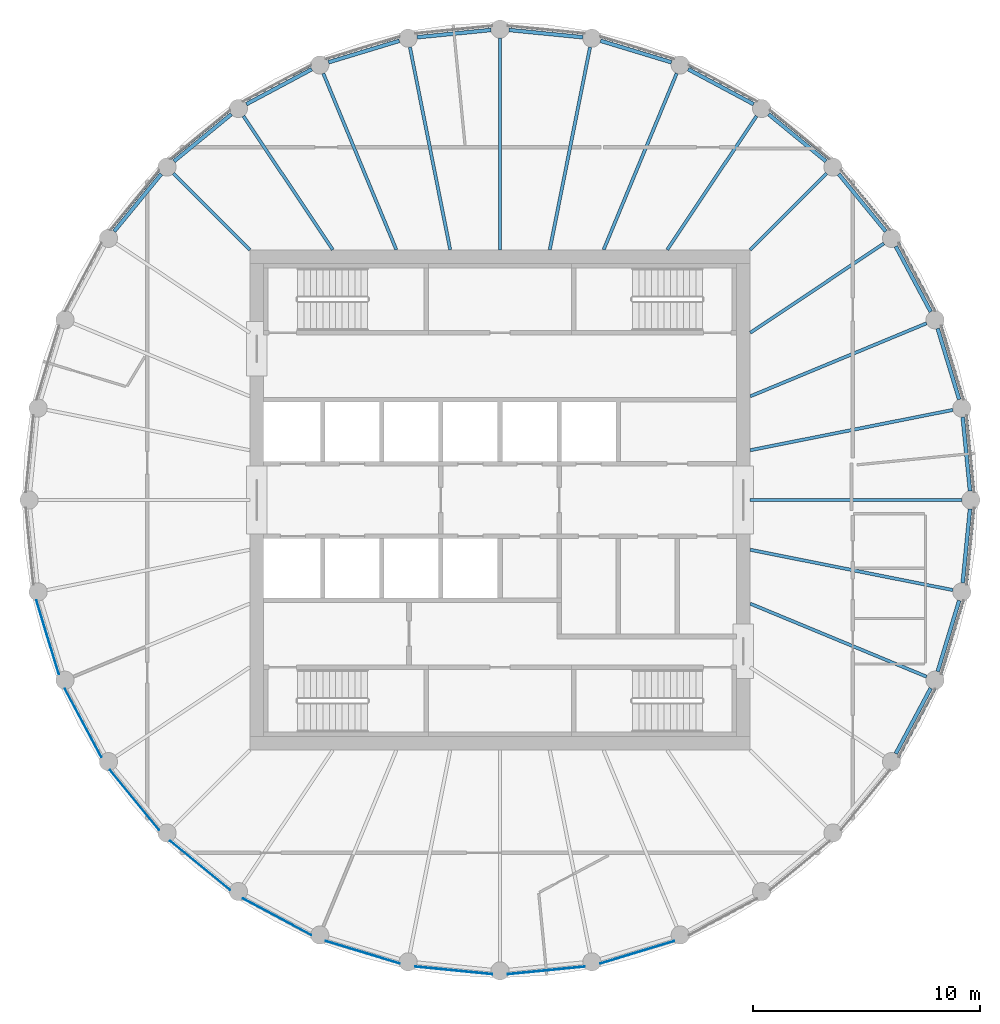
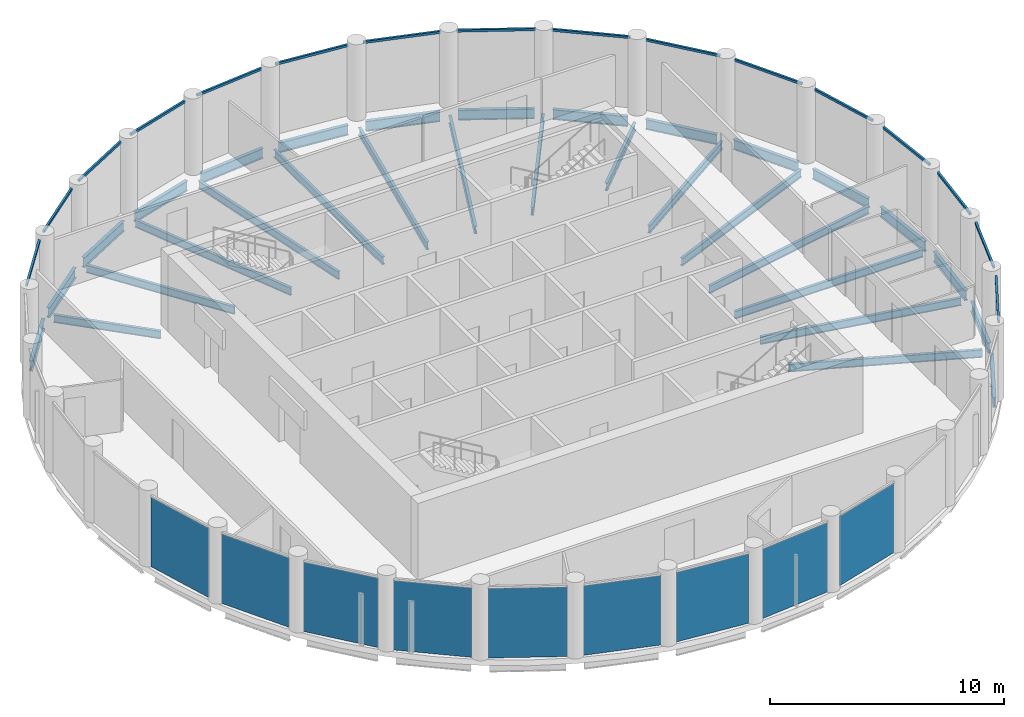
# One storey, part 2 of 7: 31 beams, 16 members, 9 plates, 25 elements without a shape of their own.
"""IFC4 building model written with IfcOpenShell, lengths in metres."""

from ifc_helpers import new_model, si_unit, direction, frame, origin, origin_2d, place, context, subcontext, project, spatial, rectangle, i_section, extrude, material, layer, layer_set, material_profile, profile_set, type_object, element, aggregate, save


model = new_model("IFC4")

# Units and contexts
model_context = context("Model", 3, precision=1e-05, world=origin(), true_north=direction((0.0, 1.0)))
body_context = subcontext(model_context, "Body", "Model", "MODEL_VIEW")
ifc_project = project(units=[si_unit("LENGTHUNIT", "METRE"), si_unit("AREAUNIT", "SQUARE_METRE"), si_unit("VOLUMEUNIT", "CUBIC_METRE"), si_unit("PLANEANGLEUNIT", "RADIAN"), si_unit("MASSUNIT", "GRAM", prefix="KILO")], contexts=[model_context])

# Site, building, storey
site_placement = place(None, origin())
site = spatial("IfcSite", under=ifc_project, at=site_placement, CompositionType="ELEMENT")
building_placement = place(site_placement, origin())
building = spatial("IfcBuilding", under=site, at=building_placement, Name="Corvane Civic Tower", CompositionType="ELEMENT")
storey_placement = place(building_placement, frame((0.0, 0.0, 360.5)))
storey = spatial("IfcBuildingStorey", under=building, at=storey_placement, Name="L86", CompositionType="ELEMENT", Elevation=360.5)

# Beams
ifc_material_1 = material(Name="Steel ASTM A992 Gr 50", Category="steel")
ifc_material_profile_1 = material_profile(ifc_material_1, i_section(OverallWidth=0.165771484375, OverallDepth=0.5283203125, WebThickness=0.009765625, FlangeThickness=0.013671875, at=origin_2d()), Name="W21X50")
ifc_profile_set_1 = profile_set([ifc_material_profile_1], Name="Steel ASTM A992 Gr 50")
beam_type_1 = type_object("IfcBeamType", Name="EDGE BEAM W21X50", PredefinedType="BEAM", material=ifc_profile_set_1)
beam_1_placement = place(storey_placement, frame((0.39794921875, 20.66064453125, -0.564208984375), z_axis=(0.995192503142, -0.097938152369, 0.0), x_axis=(0.097938152369, 0.995192503142, 0.0)))
element("IfcBeam", 1, at=beam_1_placement, inside=storey, type_object=beam_type_1, Name="BM-L86-E01", PredefinedType="BEAM", context=body_context, shape_type="SweptSolid", body=[
    extrude(i_section(OverallWidth=0.165771484375, OverallDepth=0.5283203125, WebThickness=0.009765625, FlangeThickness=0.013671875, at=origin_2d()), origin(), (0.0, 0.0, 1.0), 3.258056640625),
])
for number, where, z_axis, x_axis, name in (
    (2, (4.421142578125, 20.18603515625, -0.564208984375), (0.956955679349, -0.290234091317, 0.0), (0.290234091317, 0.956955679349, 0.0), "BM-L86-E02"),
    (3, (8.2744140625, 18.935791015625, -0.564208984375), (0.881894065907, -0.471447618, 0.0), (0.471447618, 0.881894065907, 0.0), "BM-L86-E03"),
    (4, (11.8095703125, 16.957763671875, -0.564208984375), (0.772984791903, -0.634424551454, 0.0), (0.634424551454, 0.772984791903, 0.0), "BM-L86-E04"),
    (5, (14.890869140625, 14.327880859375, -0.564208984375), (0.634424551454, -0.772984791903, 0.0), (0.772984791903, 0.634424551454, 0.0), "BM-L86-E05"),
    (6, (17.39990234375, 11.1474609375, -0.564208984375), (0.471447618, -0.881894065907, 0.0), (0.881894065907, 0.471447618, 0.0), "BM-L86-E06"),
    (7, (19.240478515625, 7.538818359375, -0.564208984375), (0.290234091317, -0.956955679349, 0.0), (0.956955679349, 0.290234091317, 0.0), "BM-L86-E07"),
):
    element("IfcBeam", number, at=place(storey_placement, frame(where, z_axis=z_axis, x_axis=x_axis)), inside=storey, type_object=beam_type_1, Name=name, PredefinedType="BEAM", context=body_context, shape_type="SweptSolid", body=[
        extrude(i_section(OverallWidth=0.165771484375, OverallDepth=0.5283203125, WebThickness=0.009765625, FlangeThickness=0.013671875, at=origin_2d()), origin(), (0.0, 0.0, 1.0), 3.2578125),
    ])
for number, where, z_axis, x_axis, name in (
    (8, (20.341552734375, 3.640380859375, -0.564208984375), (0.097938152369, -0.995192503142, 0.0), (0.995192503142, 0.097938152369, 0.0), "BM-L86-E08"),
    (9, (20.66064453125, -0.39794921875, -0.564208984375), (-0.097938152369, -0.995192503142, 0.0), (0.995192503142, -0.097938152369, 0.0), "BM-L86-E09"),
):
    element("IfcBeam", number, at=place(storey_placement, frame(where, z_axis=z_axis, x_axis=x_axis)), inside=storey, type_object=beam_type_1, Name=name, PredefinedType="BEAM", context=body_context, shape_type="SweptSolid", body=[
        extrude(i_section(OverallWidth=0.165771484375, OverallDepth=0.5283203125, WebThickness=0.009765625, FlangeThickness=0.013671875, at=origin_2d()), origin(), (0.0, 0.0, 1.0), 3.258056640625),
    ])
for number, where, z_axis, x_axis, name in (
    (10, (20.18603515625, -4.421142578125, -0.564208984375), (-0.290234091317, -0.956955679349, 0.0), (0.956955679349, -0.290234091317, 0.0), "BM-L86-E10"),
    (11, (18.935791015625, -8.2744140625, -0.564208984375), (-0.471447618, -0.881894065907, 0.0), (0.881894065907, -0.471447618, 0.0), "BM-L86-E11"),
    (12, (-16.957763671875, 11.8095703125, -0.564208984375), (0.634424551454, 0.772984791903, 0.0), (-0.772984791903, 0.634424551454, 0.0), "BM-L86-E28"),
    (13, (-14.327880859375, 14.890869140625, -0.564208984375), (0.772984791903, 0.634424551454, 0.0), (-0.634424551454, 0.772984791903, 0.0), "BM-L86-E29"),
    (14, (-11.1474609375, 17.39990234375, -0.564208984375), (0.881894065907, 0.471447618, 0.0), (-0.471447618, 0.881894065907, 0.0), "BM-L86-E30"),
    (15, (-7.538818359375, 19.240478515625, -0.564208984375), (0.956955679349, 0.290234091317, 0.0), (-0.290234091317, 0.956955679349, 0.0), "BM-L86-E31"),
):
    element("IfcBeam", number, at=place(storey_placement, frame(where, z_axis=z_axis, x_axis=x_axis)), inside=storey, type_object=beam_type_1, Name=name, PredefinedType="BEAM", context=body_context, shape_type="SweptSolid", body=[
        extrude(i_section(OverallWidth=0.165771484375, OverallDepth=0.5283203125, WebThickness=0.009765625, FlangeThickness=0.013671875, at=origin_2d()), origin(), (0.0, 0.0, 1.0), 3.2578125),
    ])
beam_2_placement = place(storey_placement, frame((-3.640380859375, 20.341552734375, -0.564208984375), z_axis=(0.995192503142, 0.097938152369, 0.0), x_axis=(-0.097938152369, 0.995192503142, 0.0)))
element("IfcBeam", 16, at=beam_2_placement, inside=storey, type_object=beam_type_1, Name="BM-L86-E32", PredefinedType="BEAM", context=body_context, shape_type="SweptSolid", body=[
    extrude(i_section(OverallWidth=0.165771484375, OverallDepth=0.5283203125, WebThickness=0.009765625, FlangeThickness=0.013671875, at=origin_2d()), origin(), (0.0, 0.0, 1.0), 3.258056640625),
])
ifc_material_2 = material(Name="Steel ASTM A992 Gr 50", Category="steel")
ifc_material_profile_2 = material_profile(ifc_material_2, i_section(OverallWidth=0.140380859375, OverallDepth=0.40380859375, WebThickness=0.007080078125, FlangeThickness=0.01123046875, at=origin_2d()), Name="W16X31")
ifc_profile_set_2 = profile_set([ifc_material_profile_2], Name="Steel ASTM A992 Gr 50")
beam_type_2 = type_object("IfcBeamType", Name="FLOOR GIRDER W16X31", PredefinedType="BEAM", material=ifc_profile_set_2)
beam_3_placement = place(storey_placement, frame((0.0, 11.0, -0.501953125), z_axis=(0.0, 1.0, 0.0), x_axis=(-1.0, 0.0, 0.0)))
element("IfcBeam", 17, at=beam_3_placement, inside=storey, type_object=beam_type_2, Name="BM-L86-G01", PredefinedType="BEAM", context=body_context, shape_type="SweptSolid", body=[
    extrude(i_section(OverallWidth=0.140380859375, OverallDepth=0.40380859375, WebThickness=0.007080078125, FlangeThickness=0.01123046875, at=origin_2d()), origin(), (0.0, 0.0, 1.0), 9.300048828125),
])
beam_4_placement = place(storey_placement, frame((2.18798828125, 11.0, -0.501953125), z_axis=(0.195108241061, 0.980781715913, 0.0), x_axis=(-0.980781715913, 0.195108241061, 0.0)))
element("IfcBeam", 18, at=beam_4_placement, inside=storey, type_object=beam_type_2, Name="BM-L86-G02", PredefinedType="BEAM", context=body_context, shape_type="SweptSolid", body=[
    extrude(i_section(OverallWidth=0.140380859375, OverallDepth=0.40380859375, WebThickness=0.007080078125, FlangeThickness=0.01123046875, at=origin_2d()), origin(), (0.0, 0.0, 1.0), 9.08447265625),
])
beam_5_placement = place(storey_placement, frame((4.556396484375, 11.0, -0.501953125), z_axis=(0.382691739894, 0.923876091377, 0.0), x_axis=(-0.923876091377, 0.382691739894, 0.0)))
element("IfcBeam", 19, at=beam_5_placement, inside=storey, type_object=beam_type_2, Name="BM-L86-G03", PredefinedType="BEAM", context=body_context, shape_type="SweptSolid", body=[
    extrude(i_section(OverallWidth=0.140380859375, OverallDepth=0.40380859375, WebThickness=0.007080078125, FlangeThickness=0.01123046875, at=origin_2d()), origin(), (0.0, 0.0, 1.0), 8.3935546875),
])
beam_6_placement = place(storey_placement, frame((7.349853515625, 11.0, -0.501953125), z_axis=(0.555576401385, 0.831465490699, 0.0), x_axis=(-0.831465490699, 0.555576401385, 0.0)))
element("IfcBeam", 20, at=beam_6_placement, inside=storey, type_object=beam_type_2, Name="BM-L86-G04", PredefinedType="BEAM", context=body_context, shape_type="SweptSolid", body=[
    extrude(i_section(OverallWidth=0.140380859375, OverallDepth=0.40380859375, WebThickness=0.007080078125, FlangeThickness=0.01123046875, at=origin_2d()), origin(), (0.0, 0.0, 1.0), 7.070556640625),
])
beam_7_placement = place(storey_placement, frame((11.0, 11.0, -0.501953125), z_axis=(0.707106781187, 0.707106781187, 0.0), x_axis=(-0.707106781187, 0.707106781187, 0.0)))
element("IfcBeam", 21, at=beam_7_placement, inside=storey, type_object=beam_type_2, Name="BM-L86-G05", PredefinedType="BEAM", context=body_context, shape_type="SweptSolid", body=[
    extrude(i_section(OverallWidth=0.140380859375, OverallDepth=0.40380859375, WebThickness=0.007080078125, FlangeThickness=0.01123046875, at=origin_2d()), origin(), (0.0, 0.0, 1.0), 4.74365234375),
])
beam_8_placement = place(storey_placement, frame((11.0, 7.349853515625, -0.501953125), z_axis=(0.831465490699, 0.555576401385, 0.0), x_axis=(-0.555576401385, 0.831465490699, 0.0)))
element("IfcBeam", 22, at=beam_8_placement, inside=storey, type_object=beam_type_2, Name="BM-L86-G06", PredefinedType="BEAM", context=body_context, shape_type="SweptSolid", body=[
    extrude(i_section(OverallWidth=0.140380859375, OverallDepth=0.40380859375, WebThickness=0.007080078125, FlangeThickness=0.01123046875, at=origin_2d()), origin(), (0.0, 0.0, 1.0), 7.070556640625),
])
beam_9_placement = place(storey_placement, frame((11.0, 4.556396484375, -0.501953125), z_axis=(0.923876091377, 0.382691739894, 0.0), x_axis=(-0.382691739894, 0.923876091377, 0.0)))
element("IfcBeam", 23, at=beam_9_placement, inside=storey, type_object=beam_type_2, Name="BM-L86-G07", PredefinedType="BEAM", context=body_context, shape_type="SweptSolid", body=[
    extrude(i_section(OverallWidth=0.140380859375, OverallDepth=0.40380859375, WebThickness=0.007080078125, FlangeThickness=0.01123046875, at=origin_2d()), origin(), (0.0, 0.0, 1.0), 8.3935546875),
])
beam_10_placement = place(storey_placement, frame((11.0, 2.18798828125, -0.501953125), z_axis=(0.980781715913, 0.195108241061, 0.0), x_axis=(-0.195108241061, 0.980781715913, 0.0)))
element("IfcBeam", 24, at=beam_10_placement, inside=storey, type_object=beam_type_2, Name="BM-L86-G08", PredefinedType="BEAM", context=body_context, shape_type="SweptSolid", body=[
    extrude(i_section(OverallWidth=0.140380859375, OverallDepth=0.40380859375, WebThickness=0.007080078125, FlangeThickness=0.01123046875, at=origin_2d()), origin(), (0.0, 0.0, 1.0), 9.08447265625),
])
beam_11_placement = place(storey_placement, frame((11.0, 0.0, -0.501953125), z_axis=(1.0, 0.0, 0.0), x_axis=(0.0, 1.0, 0.0)))
element("IfcBeam", 25, at=beam_11_placement, inside=storey, type_object=beam_type_2, Name="BM-L86-G09", PredefinedType="BEAM", context=body_context, shape_type="SweptSolid", body=[
    extrude(i_section(OverallWidth=0.140380859375, OverallDepth=0.40380859375, WebThickness=0.007080078125, FlangeThickness=0.01123046875, at=origin_2d()), origin(), (0.0, 0.0, 1.0), 9.300048828125),
])
beam_12_placement = place(storey_placement, frame((11.0, -2.18798828125, -0.501953125), z_axis=(0.980781715913, -0.195108241061, 0.0), x_axis=(0.195108241061, 0.980781715913, 0.0)))
element("IfcBeam", 26, at=beam_12_placement, inside=storey, type_object=beam_type_2, Name="BM-L86-G10", PredefinedType="BEAM", context=body_context, shape_type="SweptSolid", body=[
    extrude(i_section(OverallWidth=0.140380859375, OverallDepth=0.40380859375, WebThickness=0.007080078125, FlangeThickness=0.01123046875, at=origin_2d()), origin(), (0.0, 0.0, 1.0), 9.08447265625),
])
beam_13_placement = place(storey_placement, frame((11.0, -4.556396484375, -0.501953125), z_axis=(0.923876091377, -0.382691739894, 0.0), x_axis=(0.382691739894, 0.923876091377, 0.0)))
element("IfcBeam", 27, at=beam_13_placement, inside=storey, type_object=beam_type_2, Name="BM-L86-G11", PredefinedType="BEAM", context=body_context, shape_type="SweptSolid", body=[
    extrude(i_section(OverallWidth=0.140380859375, OverallDepth=0.40380859375, WebThickness=0.007080078125, FlangeThickness=0.01123046875, at=origin_2d()), origin(), (0.0, 0.0, 1.0), 8.3935546875),
])
beam_14_placement = place(storey_placement, frame((-11.0, 11.0, -0.501953125), z_axis=(-0.707106781187, 0.707106781187, 0.0), x_axis=(-0.707106781187, -0.707106781187, 0.0)))
element("IfcBeam", 28, at=beam_14_placement, inside=storey, type_object=beam_type_2, Name="BM-L86-G29", PredefinedType="BEAM", context=body_context, shape_type="SweptSolid", body=[
    extrude(i_section(OverallWidth=0.140380859375, OverallDepth=0.40380859375, WebThickness=0.007080078125, FlangeThickness=0.01123046875, at=origin_2d()), origin(), (0.0, 0.0, 1.0), 4.74365234375),
])
beam_15_placement = place(storey_placement, frame((-7.349853515625, 11.0, -0.501953125), z_axis=(-0.555576401385, 0.831465490699, 0.0), x_axis=(-0.831465490699, -0.555576401385, 0.0)))
element("IfcBeam", 29, at=beam_15_placement, inside=storey, type_object=beam_type_2, Name="BM-L86-G30", PredefinedType="BEAM", context=body_context, shape_type="SweptSolid", body=[
    extrude(i_section(OverallWidth=0.140380859375, OverallDepth=0.40380859375, WebThickness=0.007080078125, FlangeThickness=0.01123046875, at=origin_2d()), origin(), (0.0, 0.0, 1.0), 7.070556640625),
])
beam_16_placement = place(storey_placement, frame((-4.556396484375, 11.0, -0.501953125), z_axis=(-0.382691739894, 0.923876091377, 0.0), x_axis=(-0.923876091377, -0.382691739894, 0.0)))
element("IfcBeam", 30, at=beam_16_placement, inside=storey, type_object=beam_type_2, Name="BM-L86-G31", PredefinedType="BEAM", context=body_context, shape_type="SweptSolid", body=[
    extrude(i_section(OverallWidth=0.140380859375, OverallDepth=0.40380859375, WebThickness=0.007080078125, FlangeThickness=0.01123046875, at=origin_2d()), origin(), (0.0, 0.0, 1.0), 8.3935546875),
])
beam_17_placement = place(storey_placement, frame((-2.18798828125, 11.0, -0.501953125), z_axis=(-0.195108241061, 0.980781715913, 0.0), x_axis=(-0.980781715913, -0.195108241061, 0.0)))
element("IfcBeam", 31, at=beam_17_placement, inside=storey, type_object=beam_type_2, Name="BM-L86-G32", PredefinedType="BEAM", context=body_context, shape_type="SweptSolid", body=[
    extrude(i_section(OverallWidth=0.140380859375, OverallDepth=0.40380859375, WebThickness=0.007080078125, FlangeThickness=0.01123046875, at=origin_2d()), origin(), (0.0, 0.0, 1.0), 9.08447265625),
])

# Curtain wall, member
ifc_material_3 = material(Name="Anodised aluminium bronze", Category="aluminium")
curtain_wall_type = type_object("IfcCurtainWallType", Name="TOWER CW-T3 STICK CURTAIN WALL", PredefinedType="NOTDEFINED", material=ifc_material_3)
curtain_wall_1_placement = place(storey_placement, origin())
curtain_wall_1 = element("IfcCurtainWall", 32, at=curtain_wall_1_placement, inside=storey, type_object=curtain_wall_type, Name="Curtain wall CW-T3 L86 bay 01", PredefinedType="NOTDEFINED")
ifc_material_4 = material(Name="Anodised aluminium bronze", Category="aluminium")
ifc_material_profile_3 = material_profile(ifc_material_4, rectangle(XDim=0.10009765625, YDim=0.1201171875, at=origin_2d()), Name="TOWER CW-T3 TRANSOM 100x120")
ifc_profile_set_3 = profile_set([ifc_material_profile_3], Name="Anodised aluminium bronze")
member_type = type_object("IfcMemberType", Name="TOWER CW-T3 TRANSOM 100x120", PredefinedType="USERDEFINED", material=ifc_profile_set_3)
member_1_placement = place(storey_placement, frame((0.34375, 20.845947265625, 3.68994140625), z_axis=(0.995191564676, -0.097947688066, 0.0), x_axis=(0.097947688066, 0.995191564676, 0.0)))
member_1 = element("IfcMember", 33, at=member_1_placement, type_object=member_type, Name="Transom CW-T3 L86 01.1", ObjectType="TRANSOM", PredefinedType="USERDEFINED", context=body_context, shape_type="SweptSolid", body=[
    extrude(rectangle(XDim=0.10009765625, YDim=0.1201171875, at=origin_2d()), origin(), (0.0, 0.0, 1.0), 3.40234375),
])
aggregate(curtain_wall_1, [member_1])

curtain_wall_2_placement = place(storey_placement, origin())
curtain_wall_2 = element("IfcCurtainWall", 34, at=curtain_wall_2_placement, inside=storey, type_object=curtain_wall_type, Name="Curtain wall CW-T3 L86 bay 02", PredefinedType="NOTDEFINED")
member_2_placement = place(storey_placement, frame((4.40380859375, 20.37841796875, 3.68994140625), z_axis=(0.956961022204, -0.290216474345, 0.0), x_axis=(0.290216474345, 0.956961022204, 0.0)))
member_2 = element("IfcMember", 35, at=member_2_placement, type_object=member_type, Name="Transom CW-T3 L86 02.1", ObjectType="TRANSOM", PredefinedType="USERDEFINED", context=body_context, shape_type="SweptSolid", body=[
    extrude(rectangle(XDim=0.10009765625, YDim=0.1201171875, at=origin_2d()), origin(), (0.0, 0.0, 1.0), 3.40283203125),
])
aggregate(curtain_wall_2, [member_2])

curtain_wall_3_placement = place(storey_placement, origin())
curtain_wall_3 = element("IfcCurtainWall", 36, at=curtain_wall_3_placement, inside=storey, type_object=curtain_wall_type, Name="Curtain wall CW-T3 L86 bay 03", PredefinedType="NOTDEFINED")
member_3_placement = place(storey_placement, frame((8.294921875, 19.127685546875, 3.68994140625), z_axis=(0.881941440444, -0.471358988063, 0.0), x_axis=(0.471358988063, 0.881941440444, 0.0)))
member_3 = element("IfcMember", 37, at=member_3_placement, type_object=member_type, Name="Transom CW-T3 L86 03.1", ObjectType="TRANSOM", PredefinedType="USERDEFINED", context=body_context, shape_type="SweptSolid", body=[
    extrude(rectangle(XDim=0.10009765625, YDim=0.1201171875, at=origin_2d()), origin(), (0.0, 0.0, 1.0), 3.40234375),
])
aggregate(curtain_wall_3, [member_3])

curtain_wall_4_placement = place(storey_placement, origin())
curtain_wall_4 = element("IfcCurtainWall", 38, at=curtain_wall_4_placement, inside=storey, type_object=curtain_wall_type, Name="Curtain wall CW-T3 L86 bay 04", PredefinedType="NOTDEFINED")
member_4_placement = place(storey_placement, frame((11.8671875, 17.14208984375, 3.68994140625), z_axis=(0.773010217358, -0.634393571736, 0.0), x_axis=(0.634393571736, 0.773010217358, 0.0)))
member_4 = element("IfcMember", 39, at=member_4_placement, type_object=member_type, Name="Transom CW-T3 L86 04.1", ObjectType="TRANSOM", PredefinedType="USERDEFINED", context=body_context, shape_type="SweptSolid", body=[
    extrude(rectangle(XDim=0.10009765625, YDim=0.1201171875, at=origin_2d()), origin(), (0.0, 0.0, 1.0), 3.40283203125),
])
aggregate(curtain_wall_4, [member_4])

curtain_wall_5_placement = place(storey_placement, origin())
curtain_wall_5 = element("IfcCurtainWall", 40, at=curtain_wall_5_placement, inside=storey, type_object=curtain_wall_type, Name="Curtain wall CW-T3 L86 bay 05", PredefinedType="NOTDEFINED")
member_5_placement = place(storey_placement, frame((14.9833984375, 14.49755859375, 3.68994140625), z_axis=(0.634393571736, -0.773010217358, 0.0), x_axis=(0.773010217358, 0.634393571736, 0.0)))
member_5 = element("IfcMember", 41, at=member_5_placement, type_object=member_type, Name="Transom CW-T3 L86 05.1", ObjectType="TRANSOM", PredefinedType="USERDEFINED", context=body_context, shape_type="SweptSolid", body=[
    extrude(rectangle(XDim=0.10009765625, YDim=0.1201171875, at=origin_2d()), origin(), (0.0, 0.0, 1.0), 3.40283203125),
])
aggregate(curtain_wall_5, [member_5])

curtain_wall_6_placement = place(storey_placement, origin())
curtain_wall_6 = element("IfcCurtainWall", 42, at=curtain_wall_6_placement, inside=storey, type_object=curtain_wall_type, Name="Curtain wall CW-T3 L86 bay 06", PredefinedType="NOTDEFINED")
member_6_placement = place(storey_placement, frame((17.52392578125, 11.295654296875, 3.68994140625), z_axis=(0.471358988063, -0.881941440444, 0.0), x_axis=(0.881941440444, 0.471358988063, 0.0)))
member_6 = element("IfcMember", 43, at=member_6_placement, type_object=member_type, Name="Transom CW-T3 L86 06.1", ObjectType="TRANSOM", PredefinedType="USERDEFINED", context=body_context, shape_type="SweptSolid", body=[
    extrude(rectangle(XDim=0.10009765625, YDim=0.1201171875, at=origin_2d()), origin(), (0.0, 0.0, 1.0), 3.40234375),
])
aggregate(curtain_wall_6, [member_6])

curtain_wall_7_placement = place(storey_placement, origin())
curtain_wall_7 = element("IfcCurtainWall", 44, at=curtain_wall_7_placement, inside=storey, type_object=curtain_wall_type, Name="Curtain wall CW-T3 L86 bay 07", PredefinedType="NOTDEFINED")
member_7_placement = place(storey_placement, frame((19.390869140625, 7.66015625, 3.68994140625), z_axis=(0.290216474345, -0.956961022204, 0.0), x_axis=(0.956961022204, 0.290216474345, 0.0)))
member_7 = element("IfcMember", 45, at=member_7_placement, type_object=member_type, Name="Transom CW-T3 L86 07.1", ObjectType="TRANSOM", PredefinedType="USERDEFINED", context=body_context, shape_type="SweptSolid", body=[
    extrude(rectangle(XDim=0.10009765625, YDim=0.1201171875, at=origin_2d()), origin(), (0.0, 0.0, 1.0), 3.40283203125),
])
aggregate(curtain_wall_7, [member_7])

curtain_wall_8_placement = place(storey_placement, origin())
curtain_wall_8 = element("IfcCurtainWall", 46, at=curtain_wall_8_placement, inside=storey, type_object=curtain_wall_type, Name="Curtain wall CW-T3 L86 bay 08", PredefinedType="NOTDEFINED")
member_8_placement = place(storey_placement, frame((20.5126953125, 3.729736328125, 3.68994140625), z_axis=(0.097947688066, -0.995191564676, 0.0), x_axis=(0.995191564676, 0.097947688066, 0.0)))
member_8 = element("IfcMember", 47, at=member_8_placement, type_object=member_type, Name="Transom CW-T3 L86 08.1", ObjectType="TRANSOM", PredefinedType="USERDEFINED", context=body_context, shape_type="SweptSolid", body=[
    extrude(rectangle(XDim=0.10009765625, YDim=0.1201171875, at=origin_2d()), origin(), (0.0, 0.0, 1.0), 3.40234375),
])
aggregate(curtain_wall_8, [member_8])

curtain_wall_9_placement = place(storey_placement, origin())
curtain_wall_9 = element("IfcCurtainWall", 48, at=curtain_wall_9_placement, inside=storey, type_object=curtain_wall_type, Name="Curtain wall CW-T3 L86 bay 09", PredefinedType="NOTDEFINED")
member_9_placement = place(storey_placement, frame((20.845947265625, -0.34375, 3.68994140625), z_axis=(-0.097947688066, -0.995191564676, 0.0), x_axis=(0.995191564676, -0.097947688066, 0.0)))
member_9 = element("IfcMember", 49, at=member_9_placement, type_object=member_type, Name="Transom CW-T3 L86 09.1", ObjectType="TRANSOM", PredefinedType="USERDEFINED", context=body_context, shape_type="SweptSolid", body=[
    extrude(rectangle(XDim=0.10009765625, YDim=0.1201171875, at=origin_2d()), origin(), (0.0, 0.0, 1.0), 3.40234375),
])
aggregate(curtain_wall_9, [member_9])

curtain_wall_10_placement = place(storey_placement, origin())
curtain_wall_10 = element("IfcCurtainWall", 50, at=curtain_wall_10_placement, inside=storey, type_object=curtain_wall_type, Name="Curtain wall CW-T3 L86 bay 10", PredefinedType="NOTDEFINED")
member_10_placement = place(storey_placement, frame((20.37841796875, -4.40380859375, 3.68994140625), z_axis=(-0.290216474345, -0.956961022204, 0.0), x_axis=(0.956961022204, -0.290216474345, 0.0)))
member_10 = element("IfcMember", 51, at=member_10_placement, type_object=member_type, Name="Transom CW-T3 L86 10.1", ObjectType="TRANSOM", PredefinedType="USERDEFINED", context=body_context, shape_type="SweptSolid", body=[
    extrude(rectangle(XDim=0.10009765625, YDim=0.1201171875, at=origin_2d()), origin(), (0.0, 0.0, 1.0), 3.40283203125),
])
aggregate(curtain_wall_10, [member_10])

curtain_wall_11_placement = place(storey_placement, origin())
curtain_wall_11 = element("IfcCurtainWall", 52, at=curtain_wall_11_placement, inside=storey, type_object=curtain_wall_type, Name="Curtain wall CW-T3 L86 bay 11", PredefinedType="NOTDEFINED")
member_11_placement = place(storey_placement, frame((19.127685546875, -8.294921875, 3.68994140625), z_axis=(-0.471358988063, -0.881941440444, 0.0), x_axis=(0.881941440444, -0.471358988063, 0.0)))
member_11 = element("IfcMember", 53, at=member_11_placement, type_object=member_type, Name="Transom CW-T3 L86 11.1", ObjectType="TRANSOM", PredefinedType="USERDEFINED", context=body_context, shape_type="SweptSolid", body=[
    extrude(rectangle(XDim=0.10009765625, YDim=0.1201171875, at=origin_2d()), origin(), (0.0, 0.0, 1.0), 3.40234375),
])
aggregate(curtain_wall_11, [member_11])

curtain_wall_12_placement = place(storey_placement, origin())
curtain_wall_12 = element("IfcCurtainWall", 54, at=curtain_wall_12_placement, inside=storey, type_object=curtain_wall_type, Name="Curtain wall CW-T3 L86 bay 28", PredefinedType="NOTDEFINED")
member_12_placement = place(storey_placement, frame((-17.14208984375, 11.8671875, 3.68994140625), z_axis=(0.634393571736, 0.773010217358, 0.0), x_axis=(-0.773010217358, 0.634393571736, 0.0)))
member_12 = element("IfcMember", 55, at=member_12_placement, type_object=member_type, Name="Transom CW-T3 L86 28.1", ObjectType="TRANSOM", PredefinedType="USERDEFINED", context=body_context, shape_type="SweptSolid", body=[
    extrude(rectangle(XDim=0.10009765625, YDim=0.1201171875, at=origin_2d()), origin(), (0.0, 0.0, 1.0), 3.40283203125),
])
aggregate(curtain_wall_12, [member_12])

curtain_wall_13_placement = place(storey_placement, origin())
curtain_wall_13 = element("IfcCurtainWall", 56, at=curtain_wall_13_placement, inside=storey, type_object=curtain_wall_type, Name="Curtain wall CW-T3 L86 bay 29", PredefinedType="NOTDEFINED")
member_13_placement = place(storey_placement, frame((-14.49755859375, 14.9833984375, 3.68994140625), z_axis=(0.773010217358, 0.634393571736, 0.0), x_axis=(-0.634393571736, 0.773010217358, 0.0)))
member_13 = element("IfcMember", 57, at=member_13_placement, type_object=member_type, Name="Transom CW-T3 L86 29.1", ObjectType="TRANSOM", PredefinedType="USERDEFINED", context=body_context, shape_type="SweptSolid", body=[
    extrude(rectangle(XDim=0.10009765625, YDim=0.1201171875, at=origin_2d()), origin(), (0.0, 0.0, 1.0), 3.40283203125),
])
aggregate(curtain_wall_13, [member_13])

curtain_wall_14_placement = place(storey_placement, origin())
curtain_wall_14 = element("IfcCurtainWall", 58, at=curtain_wall_14_placement, inside=storey, type_object=curtain_wall_type, Name="Curtain wall CW-T3 L86 bay 30", PredefinedType="NOTDEFINED")
member_14_placement = place(storey_placement, frame((-11.295654296875, 17.52392578125, 3.68994140625), z_axis=(0.881941440444, 0.471358988063, 0.0), x_axis=(-0.471358988063, 0.881941440444, 0.0)))
member_14 = element("IfcMember", 59, at=member_14_placement, type_object=member_type, Name="Transom CW-T3 L86 30.1", ObjectType="TRANSOM", PredefinedType="USERDEFINED", context=body_context, shape_type="SweptSolid", body=[
    extrude(rectangle(XDim=0.10009765625, YDim=0.1201171875, at=origin_2d()), origin(), (0.0, 0.0, 1.0), 3.40234375),
])
aggregate(curtain_wall_14, [member_14])

curtain_wall_15_placement = place(storey_placement, origin())
curtain_wall_15 = element("IfcCurtainWall", 60, at=curtain_wall_15_placement, inside=storey, type_object=curtain_wall_type, Name="Curtain wall CW-T3 L86 bay 31", PredefinedType="NOTDEFINED")
member_15_placement = place(storey_placement, frame((-7.66015625, 19.390869140625, 3.68994140625), z_axis=(0.956961022204, 0.290216474345, 0.0), x_axis=(-0.290216474345, 0.956961022204, 0.0)))
member_15 = element("IfcMember", 61, at=member_15_placement, type_object=member_type, Name="Transom CW-T3 L86 31.1", ObjectType="TRANSOM", PredefinedType="USERDEFINED", context=body_context, shape_type="SweptSolid", body=[
    extrude(rectangle(XDim=0.10009765625, YDim=0.1201171875, at=origin_2d()), origin(), (0.0, 0.0, 1.0), 3.40283203125),
])
aggregate(curtain_wall_15, [member_15])

curtain_wall_16_placement = place(storey_placement, origin())
curtain_wall_16 = element("IfcCurtainWall", 62, at=curtain_wall_16_placement, inside=storey, type_object=curtain_wall_type, Name="Curtain wall CW-T3 L86 bay 32", PredefinedType="NOTDEFINED")
member_16_placement = place(storey_placement, frame((-3.729736328125, 20.5126953125, 3.68994140625), z_axis=(0.995191564676, 0.097947688066, 0.0), x_axis=(-0.097947688066, 0.995191564676, 0.0)))
member_16 = element("IfcMember", 63, at=member_16_placement, type_object=member_type, Name="Transom CW-T3 L86 32.1", ObjectType="TRANSOM", PredefinedType="USERDEFINED", context=body_context, shape_type="SweptSolid", body=[
    extrude(rectangle(XDim=0.10009765625, YDim=0.1201171875, at=origin_2d()), origin(), (0.0, 0.0, 1.0), 3.40234375),
])
aggregate(curtain_wall_16, [member_16])

# Curtain wall, plate
curtain_wall_17_placement = place(storey_placement, origin())
curtain_wall_17 = element("IfcCurtainWall", 64, at=curtain_wall_17_placement, inside=storey, type_object=curtain_wall_type, Name="Curtain wall CW-T3 L86 bay 15", PredefinedType="NOTDEFINED")
ifc_material_5 = material(Name="Tinted glass", Category="glass")
ifc_layer = layer(ifc_material_5, 0.028076171875)
ifc_layer_set = layer_set([ifc_layer], Name="Tinted glass")
plate_type = type_object("IfcPlateType", Name="TOWER CW-T3 PANEL IGU28", PredefinedType="CURTAIN_PANEL", material=ifc_layer_set)
plate_1_placement = place(storey_placement, frame((6.031982421875, -19.884765625, 0.0), z_axis=(0.0, 0.0, 1.0), x_axis=(-0.956938582641, -0.290290456359, 0.0)))
plate_1 = element("IfcPlate", 65, at=plate_1_placement, type_object=plate_type, Name="Glass panel CW-T3 L86 15.1", PredefinedType="CURTAIN_PANEL", context=body_context, shape_type="SweptSolid", body=[
    extrude(rectangle(XDim=3.40283203125, YDim=0.028076171875, at=origin_2d()), origin(), (0.0, 0.0, 1.0), 3.6298828125),
])
aggregate(curtain_wall_17, [plate_1])

curtain_wall_18_placement = place(storey_placement, origin())
curtain_wall_18 = element("IfcCurtainWall", 66, at=curtain_wall_18_placement, inside=storey, type_object=curtain_wall_type, Name="Curtain wall CW-T3 L86 bay 16", PredefinedType="NOTDEFINED")
plate_2_placement = place(storey_placement, frame((2.03662109375, -20.679443359375, 0.0), z_axis=(0.0, 0.0, 1.0), x_axis=(-0.995186641028, -0.097997701601, 0.0)))
plate_2 = element("IfcPlate", 67, at=plate_2_placement, type_object=plate_type, Name="Glass panel CW-T3 L86 16.1", PredefinedType="CURTAIN_PANEL", context=body_context, shape_type="SweptSolid", body=[
    extrude(rectangle(XDim=3.402587890625, YDim=0.028076171875, at=origin_2d()), origin(), (0.0, 0.0, 1.0), 3.6298828125),
])
aggregate(curtain_wall_18, [plate_2])

curtain_wall_19_placement = place(storey_placement, origin())
curtain_wall_19 = element("IfcCurtainWall", 68, at=curtain_wall_19_placement, inside=storey, type_object=curtain_wall_type, Name="Curtain wall CW-T3 L86 bay 17", PredefinedType="NOTDEFINED")
plate_3_placement = place(storey_placement, frame((-2.03662109375, -20.679443359375, 0.0), z_axis=(0.0, 0.0, 1.0), x_axis=(-0.995186641028, 0.097997701601, 0.0)))
plate_3 = element("IfcPlate", 69, at=plate_3_placement, type_object=plate_type, Name="Glass panel CW-T3 L86 17.1", PredefinedType="CURTAIN_PANEL", context=body_context, shape_type="SweptSolid", body=[
    extrude(rectangle(XDim=3.402587890625, YDim=0.028076171875, at=origin_2d()), origin(), (0.0, 0.0, 1.0), 3.6298828125),
])
aggregate(curtain_wall_19, [plate_3])

curtain_wall_20_placement = place(storey_placement, origin())
curtain_wall_20 = element("IfcCurtainWall", 70, at=curtain_wall_20_placement, inside=storey, type_object=curtain_wall_type, Name="Curtain wall CW-T3 L86 bay 18", PredefinedType="NOTDEFINED")
plate_4_placement = place(storey_placement, frame((-6.031982421875, -19.884765625, 0.0), z_axis=(0.0, 0.0, 1.0), x_axis=(-0.956938582641, 0.290290456359, 0.0)))
plate_4 = element("IfcPlate", 71, at=plate_4_placement, type_object=plate_type, Name="Glass panel CW-T3 L86 18.1", PredefinedType="CURTAIN_PANEL", context=body_context, shape_type="SweptSolid", body=[
    extrude(rectangle(XDim=3.40283203125, YDim=0.028076171875, at=origin_2d()), origin(), (0.0, 0.0, 1.0), 3.6298828125),
])
aggregate(curtain_wall_20, [plate_4])

curtain_wall_21_placement = place(storey_placement, origin())
curtain_wall_21 = element("IfcCurtainWall", 72, at=curtain_wall_21_placement, inside=storey, type_object=curtain_wall_type, Name="Curtain wall CW-T3 L86 bay 19", PredefinedType="NOTDEFINED")
plate_5_placement = place(storey_placement, frame((-9.79541015625, -18.325927734375, 0.0), z_axis=(0.0, 0.0, 1.0), x_axis=(-0.88192824848, 0.471383670202, 0.0)))
plate_5 = element("IfcPlate", 73, at=plate_5_placement, type_object=plate_type, Name="Glass panel CW-T3 L86 19.1", PredefinedType="CURTAIN_PANEL", context=body_context, shape_type="SweptSolid", body=[
    extrude(rectangle(XDim=3.40234375, YDim=0.028076171875, at=origin_2d()), origin(), (0.0, 0.0, 1.0), 3.6298828125),
])
aggregate(curtain_wall_21, [plate_5])

curtain_wall_22_placement = place(storey_placement, origin())
curtain_wall_22 = element("IfcCurtainWall", 74, at=curtain_wall_22_placement, inside=storey, type_object=curtain_wall_type, Name="Curtain wall CW-T3 L86 bay 20", PredefinedType="NOTDEFINED")
plate_6_placement = place(storey_placement, frame((-13.182373046875, -16.062744140625, 0.0), z_axis=(0.0, 0.0, 1.0), x_axis=(-0.773010369391, 0.634393386484, 0.0)))
plate_6 = element("IfcPlate", 75, at=plate_6_placement, type_object=plate_type, Name="Glass panel CW-T3 L86 20.1", PredefinedType="CURTAIN_PANEL", context=body_context, shape_type="SweptSolid", body=[
    extrude(rectangle(XDim=3.402587890625, YDim=0.028076171875, at=origin_2d()), origin(), (0.0, 0.0, 1.0), 3.6298828125),
])
aggregate(curtain_wall_22, [plate_6])

curtain_wall_23_placement = place(storey_placement, origin())
curtain_wall_23 = element("IfcCurtainWall", 76, at=curtain_wall_23_placement, inside=storey, type_object=curtain_wall_type, Name="Curtain wall CW-T3 L86 bay 21", PredefinedType="NOTDEFINED")
plate_7_placement = place(storey_placement, frame((-16.062744140625, -13.182373046875, 0.0), z_axis=(0.0, 0.0, 1.0), x_axis=(-0.634393386484, 0.773010369391, 0.0)))
plate_7 = element("IfcPlate", 77, at=plate_7_placement, type_object=plate_type, Name="Glass panel CW-T3 L86 21.1", PredefinedType="CURTAIN_PANEL", context=body_context, shape_type="SweptSolid", body=[
    extrude(rectangle(XDim=3.402587890625, YDim=0.028076171875, at=origin_2d()), origin(), (0.0, 0.0, 1.0), 3.6298828125),
])
aggregate(curtain_wall_23, [plate_7])

curtain_wall_24_placement = place(storey_placement, origin())
curtain_wall_24 = element("IfcCurtainWall", 78, at=curtain_wall_24_placement, inside=storey, type_object=curtain_wall_type, Name="Curtain wall CW-T3 L86 bay 22", PredefinedType="NOTDEFINED")
plate_8_placement = place(storey_placement, frame((-18.325927734375, -9.79541015625, 0.0), z_axis=(0.0, 0.0, 1.0), x_axis=(-0.471383670202, 0.88192824848, 0.0)))
plate_8 = element("IfcPlate", 79, at=plate_8_placement, type_object=plate_type, Name="Glass panel CW-T3 L86 22.1", PredefinedType="CURTAIN_PANEL", context=body_context, shape_type="SweptSolid", body=[
    extrude(rectangle(XDim=3.40234375, YDim=0.028076171875, at=origin_2d()), origin(), (0.0, 0.0, 1.0), 3.6298828125),
])
aggregate(curtain_wall_24, [plate_8])

curtain_wall_25_placement = place(storey_placement, origin())
curtain_wall_25 = element("IfcCurtainWall", 80, at=curtain_wall_25_placement, inside=storey, type_object=curtain_wall_type, Name="Curtain wall CW-T3 L86 bay 23", PredefinedType="NOTDEFINED")
plate_9_placement = place(storey_placement, frame((-19.884765625, -6.031982421875, 0.0), z_axis=(0.0, 0.0, 1.0), x_axis=(-0.290290456359, 0.956938582641, 0.0)))
plate_9 = element("IfcPlate", 81, at=plate_9_placement, type_object=plate_type, Name="Glass panel CW-T3 L86 23.1", PredefinedType="CURTAIN_PANEL", context=body_context, shape_type="SweptSolid", body=[
    extrude(rectangle(XDim=3.40283203125, YDim=0.028076171875, at=origin_2d()), origin(), (0.0, 0.0, 1.0), 3.6298828125),
])
aggregate(curtain_wall_25, [plate_9])

save(model, "model.ifc")
